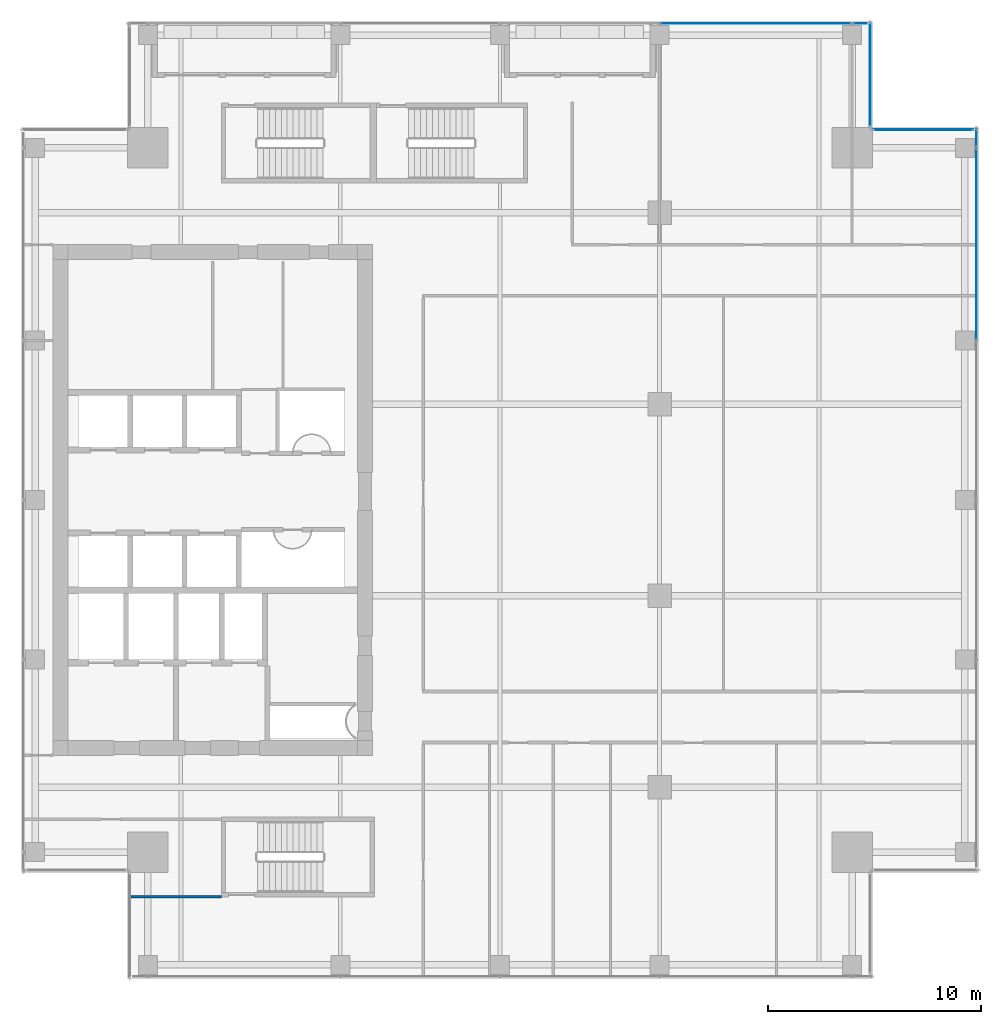
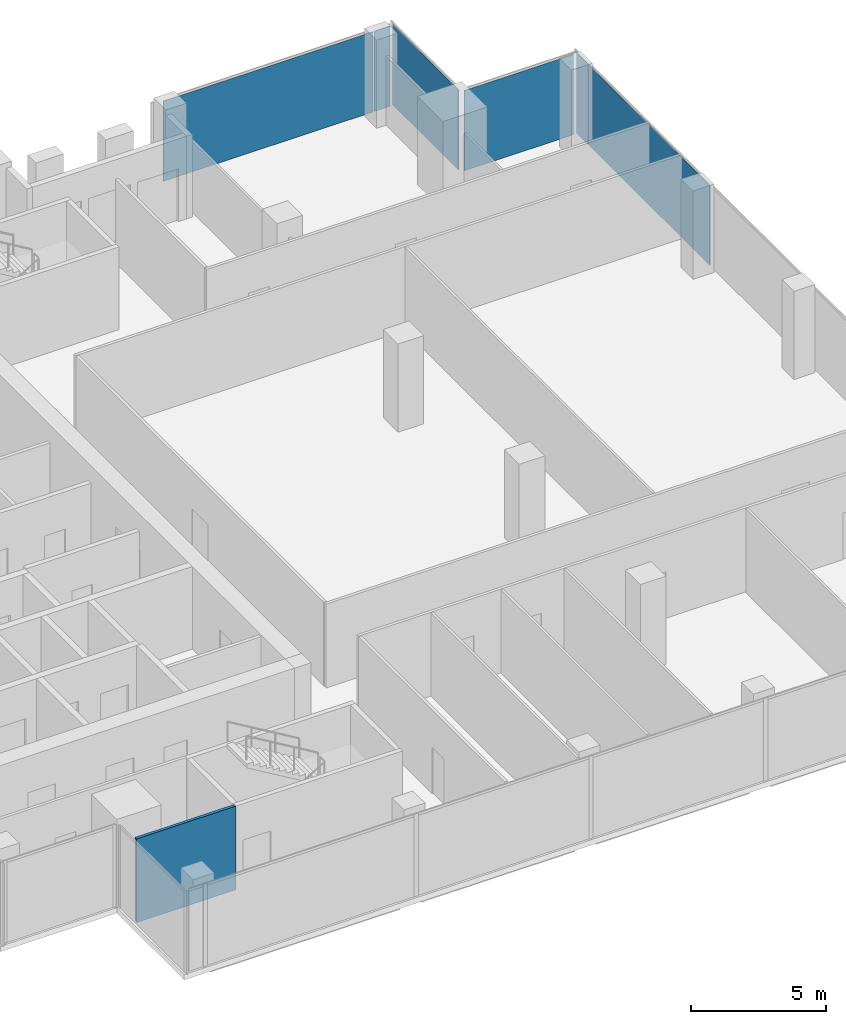
# One storey, part 29 of 35: 6 plates, 1 wall, 4 elements without a shape of their own.
"""IFC4 building model written with IfcOpenShell, lengths in metres."""

import ifcopenshell
import ifcopenshell.guid

model = None  # the IFC model being written
_history = None  # IfcOwnerHistory: only IFC2X3 demands one
_inside = {}  # id of a spatial element -> (the spatial element, [elements in it])
_under = {}  # id of a project, library or spatial element -> (it, [spatial elements below it])
_declared = {}  # id of a project -> (the project, [libraries it declares])
_typed = {}  # id of a type object -> (the type object, [elements of that type])
_made_of = {}  # id of a material, layer set ... -> (it, [elements and type objects made of it])


def new_model(schema):
    """Start an empty IFC model of exactly this schema.

    Asked for "IFC4X3", IfcOpenShell would pick the latest addendum, in which some entities
    have other attributes; the version numbers below select the first issue.
    IFC2X3 requires an IfcOwnerHistory on every rooted entity: one is made here for all.
    """
    global model, _history
    if schema == "IFC4X3":
        model = ifcopenshell.file(schema_version=(4, 3, 0, 0))
    else:
        model = ifcopenshell.file(schema=schema)
    _inside.clear()
    _under.clear()
    _declared.clear()
    _typed.clear()
    _made_of.clear()
    _history = None
    if model.schema == "IFC2X3":
        org = make("IfcOrganization", Name="unknown")
        user = make(
            "IfcPersonAndOrganization",
            ThePerson=make("IfcPerson", FamilyName="unknown"),
            TheOrganization=org,
        )
        app = make(
            "IfcApplication",
            ApplicationDeveloper=org,
            Version="unknown",
            ApplicationFullName="unknown",
            ApplicationIdentifier="unknown",
        )
        _history = make(
            "IfcOwnerHistory",
            OwningUser=user,
            OwningApplication=app,
            ChangeAction="ADDED",
            CreationDate=0,
        )
    return model


def make(cls, **values):
    """One entity of the class cls with the attributes given. An attribute that is None is left unset."""
    return model.create_entity(
        cls, **{name: value for name, value in values.items() if value is not None}
    )


def rooted(cls, **values):
    """An entity with a GlobalId (a new one), such as an element, a storey or a relation."""
    return make(cls, GlobalId=ifcopenshell.guid.new(), OwnerHistory=_history, **values)


def si_unit(unit_type, name, prefix=None):
    """IfcSIUnit, for example si_unit("LENGTHUNIT", "METRE", prefix="MILLI")."""
    return make("IfcSIUnit", UnitType=unit_type, Prefix=prefix, Name=name)


def assignment(units):
    """IfcUnitAssignment: the units of a project."""
    return None if units is None else make("IfcUnitAssignment", Units=units)


def point(xyz):
    """IfcCartesianPoint."""
    return None if xyz is None else make("IfcCartesianPoint", Coordinates=xyz)


def direction(xyz):
    """IfcDirection."""
    return None if xyz is None else make("IfcDirection", DirectionRatios=xyz)


def frame(location, z_axis=None, x_axis=None):
    """IfcAxis2Placement3D, a coordinate frame: its origin and axes. An axis left out is left unset."""
    return make(
        "IfcAxis2Placement3D",
        Location=point(location),
        Axis=direction(z_axis),
        RefDirection=direction(x_axis),
    )


def frame_2d(location, x_axis=None):
    """IfcAxis2Placement2D, a coordinate frame in the plane: its origin and x axis."""
    return make(
        "IfcAxis2Placement2D", Location=point(location), RefDirection=direction(x_axis)
    )


def origin():
    """The frame at (0, 0, 0) with its axes left unset."""
    return frame((0.0, 0.0, 0.0))


def origin_2d():
    """The frame at (0, 0) in the plane with its x axis left unset."""
    return frame_2d((0.0, 0.0))


def place(relative_to, where):
    """IfcLocalPlacement: puts the frame where relative to a parent placement (None: the world)."""
    return make(
        "IfcLocalPlacement", PlacementRelTo=relative_to, RelativePlacement=where
    )


def context(
    kind, dimensions, precision=None, world=None, true_north=None, identifier=None
):
    """IfcGeometricRepresentationContext, for example the 3D "Model" context."""
    return make(
        "IfcGeometricRepresentationContext",
        ContextIdentifier=identifier,
        ContextType=kind,
        CoordinateSpaceDimension=dimensions,
        Precision=precision,
        WorldCoordinateSystem=world,
        TrueNorth=true_north,
    )


def subcontext(parent, identifier, kind, view, scale=None):
    """IfcGeometricRepresentationSubContext, for example "Body" below "Model"."""
    return make(
        "IfcGeometricRepresentationSubContext",
        ContextIdentifier=identifier,
        ContextType=kind,
        ParentContext=parent,
        TargetScale=scale,
        TargetView=view,
    )


def project(units=None, contexts=None):
    """IfcProject with its units and contexts."""
    return rooted(
        "IfcProject",
        Name="project",
        RepresentationContexts=contexts,
        UnitsInContext=assignment(units),
    )


def spatial(cls, under=None, at=None, **own):
    """A site, building, storey or space (cls), placed at a placement, below another one or the project."""
    s = rooted(cls, ObjectPlacement=at, **own)
    if under is not None:
        _under.setdefault(under.id(), (under, []))[1].append(s)
    return s


def profile(cls, at=None, kind="AREA", **sizes):
    """A parametric profile (cls). Its sizes go by their IFC names, for example OverallWidth=200.0."""
    return make(cls, ProfileType=kind, Position=at, **sizes)


def rectangle(**sizes):
    """IfcRectangleProfileDef."""
    return profile("IfcRectangleProfileDef", **sizes)


def extrude(swept, where, along, depth):
    """IfcExtrudedAreaSolid: the profile swept, set in the frame where, extruded along a direction by depth."""
    return make(
        "IfcExtrudedAreaSolid",
        SweptArea=swept,
        Position=where,
        ExtrudedDirection=direction(along),
        Depth=depth,
    )


def shape(context_of_items, identifier, shape_type, items):
    """IfcShapeRepresentation: the items that make up one representation, for example the "Body"."""
    return make(
        "IfcShapeRepresentation",
        ContextOfItems=context_of_items,
        RepresentationIdentifier=identifier,
        RepresentationType=shape_type,
        Items=items,
    )


def source(mapping_origin, context_of_items, identifier, shape_type, items):
    """IfcRepresentationMap: a shape defined once, which mapped items show again and again."""
    return make(
        "IfcRepresentationMap",
        MappingOrigin=mapping_origin,
        MappedRepresentation=shape(context_of_items, identifier, shape_type, items),
    )


def transform(
    local_origin,
    x_axis=None,
    y_axis=None,
    z_axis=None,
    scale=None,
    scale2=None,
    scale3=None,
    uniform=True,
):
    """IfcCartesianTransformationOperator3D, or its non-uniform kind. x_axis, y_axis, z_axis: its Axis1, 2, 3."""
    if uniform:
        return make(
            "IfcCartesianTransformationOperator3D",
            Axis1=direction(x_axis),
            Axis2=direction(y_axis),
            LocalOrigin=point(local_origin),
            Scale=scale,
            Axis3=direction(z_axis),
        )
    return make(
        "IfcCartesianTransformationOperator3DnonUniform",
        Axis1=direction(x_axis),
        Axis2=direction(y_axis),
        LocalOrigin=point(local_origin),
        Scale=scale,
        Axis3=direction(z_axis),
        Scale2=scale2,
        Scale3=scale3,
    )


def mapped(mapping_source, mapping_target):
    """IfcMappedItem: shows the shape of a source again, moved by a transform."""
    return make(
        "IfcMappedItem", MappingSource=mapping_source, MappingTarget=mapping_target
    )


def material(Name=None, Category=None):
    """IfcMaterial."""
    return make("IfcMaterial", Name=Name, Category=Category)


def layer(
    of_material, thickness, ventilated=None, Name=None, Category=None, Priority=None
):
    """IfcMaterialLayer: one layer of a wall or slab, of a material (None: an air gap)."""
    return make(
        "IfcMaterialLayer",
        Material=of_material,
        LayerThickness=thickness,
        IsVentilated=ventilated,
        Name=Name,
        Category=Category,
        Priority=Priority,
    )


def layer_set(layers, Name=None):
    """IfcMaterialLayerSet."""
    return make("IfcMaterialLayerSet", MaterialLayers=layers, LayerSetName=Name)


def made_of(thing, what):
    """Note that an element or type object is made of a material, layer set ...; save() writes the relation."""
    if what is not None:
        _made_of.setdefault(what.id(), (what, []))[1].append(thing)
    return thing


def type_object(cls, material=None, **own):
    """A type object (cls), such as IfcWallType, which elements share."""
    return made_of(rooted(cls, **own), material)


def element(
    cls,
    number,
    at=None,
    inside=None,
    cuts=None,
    type_object=None,
    material=None,
    context=None,
    identifier="Body",
    shape_type=None,
    held_by="IfcProductDefinitionShape",
    body=None,
    shapes=None,
    **own,
):
    """One element of the class cls, such as IfcWall. Its Tag is "e" and its number.

    at: its placement. inside: the storey or other place that contains it. cuts: it is an
    opening in that element (IfcRelVoidsElement). A single representation is given by context,
    identifier, shape_type and body (its items); several are given by shapes. held_by: the class
    of the entity that holds the representations. save() writes the other relations.
    """
    e = rooted(cls, Tag="e%d" % number, ObjectPlacement=at, **own)
    if body is not None:
        shapes = [shape(context, identifier, shape_type, body)]
    if shapes is not None:
        e.Representation = make(held_by, Representations=shapes)
    if inside is not None:
        _inside.setdefault(inside.id(), (inside, []))[1].append(e)
    if cuts is not None:
        rooted(
            "IfcRelVoidsElement", RelatingBuildingElement=cuts, RelatedOpeningElement=e
        )
    if type_object is not None:
        _typed.setdefault(type_object.id(), (type_object, []))[1].append(e)
    return made_of(e, material)


def aggregate(whole, parts):
    """IfcRelAggregates: a whole, such as a stair, and the parts it consists of."""
    return rooted("IfcRelAggregates", RelatingObject=whole, RelatedObjects=parts)


def save(model, path):
    """Write the relations noted so far, then the file.

    IfcRelAggregates (storeys below a building ...), IfcRelContainedInSpatialStructure (elements
    in a storey), IfcRelDefinesByType, IfcRelAssociatesMaterial and IfcRelDeclares: one each for
    every whole, place, type object, material and project.
    """
    for whole, parts in _under.values():
        aggregate(whole, parts)
    for where, things in _inside.values():
        rooted(
            "IfcRelContainedInSpatialStructure",
            RelatedElements=things,
            RelatingStructure=where,
        )
    for kind, things in _typed.values():
        rooted("IfcRelDefinesByType", RelatedObjects=things, RelatingType=kind)
    for what, things in _made_of.values():
        rooted("IfcRelAssociatesMaterial", RelatedObjects=things, RelatingMaterial=what)
    for by, libraries in _declared.values():
        rooted("IfcRelDeclares", RelatingContext=by, RelatedDefinitions=libraries)
    model.write(path)


model = new_model("IFC4")

# Units and contexts
model_context = context("Model", 3, precision=1e-05, world=origin(), true_north=direction((0.0, 1.0)))
body_context = subcontext(model_context, "Body", "Model", "MODEL_VIEW")
ifc_project = project(units=[si_unit("LENGTHUNIT", "METRE"), si_unit("AREAUNIT", "SQUARE_METRE"), si_unit("VOLUMEUNIT", "CUBIC_METRE"), si_unit("PLANEANGLEUNIT", "RADIAN"), si_unit("MASSUNIT", "GRAM", prefix="KILO")], contexts=[model_context])

# Site, building, storey
site_placement = place(None, origin())
site = spatial("IfcSite", under=ifc_project, at=site_placement, CompositionType="ELEMENT")
building_placement = place(site_placement, origin())
building = spatial("IfcBuilding", under=site, at=building_placement, Name="Khomas Fold Tower", CompositionType="ELEMENT")
storey_placement = place(building_placement, frame((0.0, 0.0, 270.199951171875)))
storey = spatial("IfcBuildingStorey", under=building, at=storey_placement, Name="L61", CompositionType="ELEMENT", Elevation=270.199951171875)

# Curtain wall, plate
ifc_material_1 = material(Name="Aluminium framed double glazing", Category="aluminium")
curtain_wall_type = type_object("IfcCurtainWallType", Name="SK-Unitised clear-glass wall, office floors CW2", PredefinedType="NOTDEFINED", material=ifc_material_1)
curtain_wall_1_placement = place(storey_placement, origin())
curtain_wall_1 = element("IfcCurtainWall", 1, at=curtain_wall_1_placement, inside=storey, type_object=curtain_wall_type, Name="CW2 run L61 06-0", PredefinedType="NOTDEFINED")
ifc_material_2 = material(Name="Clear double glazed unit")
ifc_layer_1 = layer(ifc_material_2, 0.030029296875)
ifc_layer_set_1 = layer_set([ifc_layer_1], Name="Clear double glazed unit")
plate_type = type_object("IfcPlateType", Name="SK-Unitised clear-glass wall, office floors glass panel CW2-P", PredefinedType="CURTAIN_PANEL", material=ifc_layer_set_1)
shared_shape_1 = source(origin(), body_context, "Body", "SweptSolid", [
    extrude(rectangle(XDim=0.659912109375, YDim=0.030029296875, at=origin_2d()), origin(), (0.0, 0.0, 1.0), 3.639892578125),
])
plate_1_placement = place(storey_placement, frame((43.909912109375, 49.39990234375, 0.0), z_axis=(0.0, 0.0, 1.0), x_axis=(-1.0, 0.0, 0.0)))
plate_1 = element("IfcPlate", 2, at=plate_1_placement, type_object=plate_type, Name="CW2 glass panel 1", PredefinedType="CURTAIN_PANEL", context=body_context, shape_type="MappedRepresentation", body=[
    mapped(shared_shape_1, transform((0.0, 0.0, 0.0))),
])

# Curtain wall, plates
curtain_wall_2_placement = place(storey_placement, origin())
curtain_wall_2 = element("IfcCurtainWall", 3, at=curtain_wall_2_placement, inside=storey, type_object=curtain_wall_type, Name="CW2 run L61 03-0", PredefinedType="NOTDEFINED")
shared_shape_2 = source(origin(), body_context, "Body", "SweptSolid", [
    extrude(rectangle(XDim=0.860107421875, YDim=0.030029296875, at=origin_2d()), origin(), (0.0, 0.0, 1.0), 3.639892578125),
])
plate_2_placement = place(storey_placement, frame((49.39990234375, 44.010009765625, 0.0), z_axis=(0.0, 0.0, 1.0), x_axis=(0.0, 1.0, 0.0)))
plate_2 = element("IfcPlate", 4, at=plate_2_placement, type_object=plate_type, Name="CW2 glass panel 6", PredefinedType="CURTAIN_PANEL", context=body_context, shape_type="MappedRepresentation", body=[
    mapped(shared_shape_2, transform((0.0, 0.0, 0.0))),
])
shared_shape_3 = source(origin(), body_context, "Body", "SweptSolid", [
    extrude(rectangle(XDim=8.989990234375, YDim=0.030029296875, at=origin_2d()), origin(), (0.0, 0.0, 1.0), 3.639892578125),
])
plate_3_placement = place(storey_placement, frame((49.39990234375, 39.02490234375, 0.0), z_axis=(0.0, 0.0, 1.0), x_axis=(0.0, 1.0, 0.0)))
plate_3 = element("IfcPlate", 5, at=plate_3_placement, type_object=plate_type, Name="CW2 glass panel 5", PredefinedType="CURTAIN_PANEL", context=body_context, shape_type="MappedRepresentation", body=[
    mapped(shared_shape_3, transform((0.0, 0.0, 0.0))),
])
aggregate(curtain_wall_2, [plate_3, plate_2])

# Plate
plate_4_placement = place(storey_placement, frame((39.02490234375, 49.39990234375, 0.0), z_axis=(0.0, 0.0, 1.0), x_axis=(-1.0, 0.0, 0.0)))
plate_4 = element("IfcPlate", 6, at=plate_4_placement, type_object=plate_type, Name="CW2 glass panel 2", PredefinedType="CURTAIN_PANEL", context=body_context, shape_type="MappedRepresentation", body=[
    mapped(shared_shape_3, transform((0.0, 0.0, 0.0))),
])

aggregate(curtain_wall_1, [plate_1, plate_4])

# Curtain wall, plate
curtain_wall_3_placement = place(storey_placement, origin())
curtain_wall_3 = element("IfcCurtainWall", 7, at=curtain_wall_3_placement, inside=storey, type_object=curtain_wall_type, Name="CW2 corner return L61 04", PredefinedType="NOTDEFINED")
shared_shape_4 = source(origin(), body_context, "Body", "SweptSolid", [
    extrude(rectangle(XDim=4.679931640625, YDim=0.030029296875, at=origin_2d()), origin(), (0.0, 0.0, 1.0), 3.639892578125),
])
plate_5_placement = place(storey_placement, frame((46.89990234375, 44.39990234375, 0.0), z_axis=(0.0, 0.0, 1.0), x_axis=(-1.0, 0.0, 0.0)))
plate_5 = element("IfcPlate", 8, at=plate_5_placement, type_object=plate_type, Name="CW2 glass panel 1", PredefinedType="CURTAIN_PANEL", context=body_context, shape_type="MappedRepresentation", body=[
    mapped(shared_shape_4, transform((0.0, 0.0, 0.0))),
])
aggregate(curtain_wall_3, [plate_5])

curtain_wall_4_placement = place(storey_placement, origin())
curtain_wall_4 = element("IfcCurtainWall", 9, at=curtain_wall_4_placement, inside=storey, type_object=curtain_wall_type, Name="CW2 corner return L61 05", PredefinedType="NOTDEFINED")
shared_shape_5 = source(origin(), body_context, "Body", "SweptSolid", [
    extrude(rectangle(XDim=4.8798828125, YDim=0.030029296875, at=origin_2d()), origin(), (0.0, 0.0, 1.0), 3.639892578125),
])
plate_6_placement = place(storey_placement, frame((44.39990234375, 47.0, 0.0), z_axis=(0.0, 0.0, 1.0), x_axis=(0.0, 1.0, 0.0)))
plate_6 = element("IfcPlate", 10, at=plate_6_placement, type_object=plate_type, Name="CW2 glass panel 1", PredefinedType="CURTAIN_PANEL", context=body_context, shape_type="MappedRepresentation", body=[
    mapped(shared_shape_5, transform((0.0, 0.0, 0.0))),
])
aggregate(curtain_wall_4, [plate_6])

# Wall
ifc_material_3 = material(Name="Plasterboard partition")
ifc_layer_2 = layer(ifc_material_3, 0.125)
ifc_layer_set_2 = layer_set([ifc_layer_2], Name="Plasterboard partition")
wall_type = type_object("IfcWallType", Name="Partition PW2 125", PredefinedType="PARTITIONING", material=ifc_layer_set_2)
shared_shape_6 = source(origin(), body_context, "Body", "SweptSolid", [
    extrude(rectangle(XDim=4.25, YDim=0.125, at=frame_2d((2.125, 0.0))), origin(), (0.0, 0.0, 1.0), 3.800048828125),
])
wall_placement = place(storey_placement, frame((9.64990234375, 8.35009765625, 0.0), z_axis=(0.0, 0.0, 1.0), x_axis=(1.0, 0.0, 0.0)))
element("IfcWall", 11, at=wall_placement, inside=storey, type_object=wall_type, Name="Partition", PredefinedType="PARTITIONING", context=body_context, shape_type="MappedRepresentation", body=[
    mapped(shared_shape_6, transform((0.0, 0.0, 0.0))),
])

save(model, "model.ifc")
